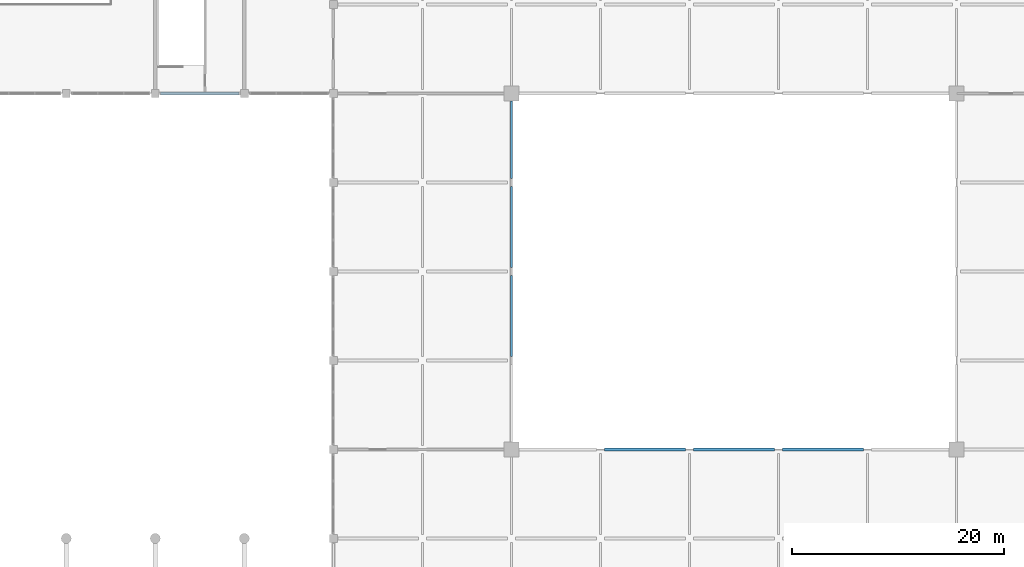
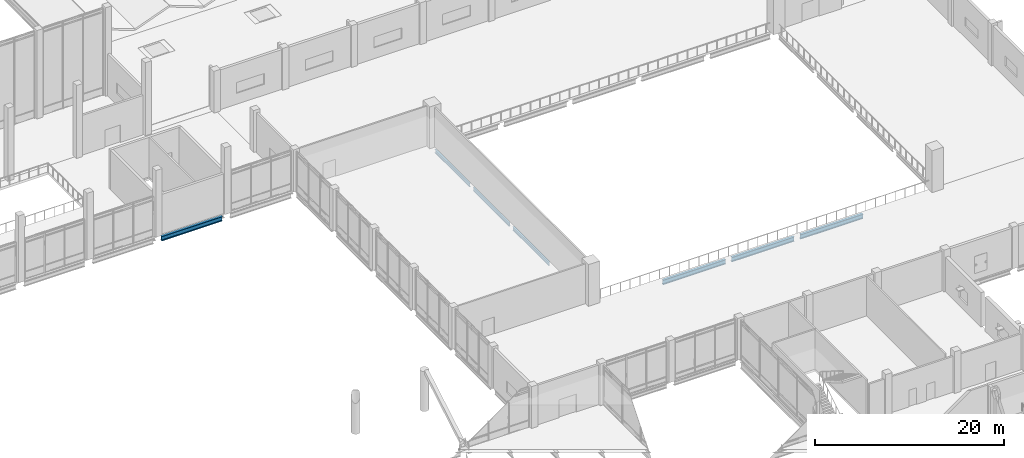
# One storey, part 29 of 72: 7 beams.
"""IFC4 building model written with IfcOpenShell, lengths in metres."""

from ifc_helpers import new_model, si_unit, direction, frame, origin, origin_2d, place, context, subcontext, project, spatial, i_section, extrude, material, material_profile, profile_set, type_object, element, save


model = new_model("IFC4")

# Units and contexts
model_context = context("Model", 3, precision=1e-05, world=origin(), true_north=direction((0.0, 1.0)))
body_context = subcontext(model_context, "Body", "Model", "MODEL_VIEW")
ifc_project = project(units=[si_unit("LENGTHUNIT", "METRE"), si_unit("AREAUNIT", "SQUARE_METRE"), si_unit("VOLUMEUNIT", "CUBIC_METRE"), si_unit("PLANEANGLEUNIT", "RADIAN"), si_unit("MASSUNIT", "GRAM", prefix="KILO")], contexts=[model_context])

# Site, building, storey
site_placement = place(None, origin())
site = spatial("IfcSite", under=ifc_project, at=site_placement, CompositionType="ELEMENT")
building_placement = place(site_placement, origin())
building = spatial("IfcBuilding", under=site, at=building_placement, Name="Qawsi Khor Wholesale Market", CompositionType="ELEMENT")
storey_placement = place(building_placement, frame((0.0, 0.0, 6.0)))
storey = spatial("IfcBuildingStorey", under=building, at=storey_placement, Name="L01", CompositionType="ELEMENT", Elevation=6.0)

# Beams
ifc_material = material(Name="Steel S355", Category="steel")
ifc_material_profile_1 = material_profile(ifc_material, i_section(OverallWidth=0.300048828125, OverallDepth=0.60009765625, WebThickness=0.015380859375, FlangeThickness=0.030029296875, FilletRadius=0.027099609375, at=origin_2d()), Name="HEB 600")
ifc_profile_set_1 = profile_set([ifc_material_profile_1], Name="Steel S355")
beam_type_1 = type_object("IfcBeamType", Name="Heavy Edge Girder HEB 600", PredefinedType="BEAM", material=ifc_profile_set_1)
beam_1_placement = place(storey_placement, frame((126.5, 92.39990234375, -0.6298828125), z_axis=(1.0, 0.0, 0.0), x_axis=(0.0, 1.0, 0.0)))
element("IfcBeam", 1, at=beam_1_placement, inside=storey, type_object=beam_type_1, Name="BM-X-L01-15_+11", PredefinedType="BEAM", context=body_context, shape_type="SweptSolid", body=[
    extrude(i_section(OverallWidth=0.300048828125, OverallDepth=0.60009765625, WebThickness=0.015380859375, FlangeThickness=0.030029296875, FilletRadius=0.027099609375, at=origin_2d()), origin(), (0.0, 0.0, 1.0), 7.39990234375),
])
ifc_material_profile_2 = material_profile(ifc_material, i_section(OverallWidth=0.300048828125, OverallDepth=0.590087890625, WebThickness=0.012939453125, FlangeThickness=0.02490234375, FilletRadius=0.027099609375, at=origin_2d()), Name="HEA 600")
ifc_profile_set_2 = profile_set([ifc_material_profile_2], Name="Steel S355")
beam_type_2 = type_object("IfcBeamType", Name="Primary Girder HEA 600", PredefinedType="BEAM", material=ifc_profile_set_2)
beam_2_placement = place(storey_placement, frame((168.375, 58.800048828125, -0.56494140625), z_axis=(1.0, 0.0, 0.0), x_axis=(0.0, 1.0, 0.0)))
element("IfcBeam", 2, at=beam_2_placement, inside=storey, type_object=beam_type_2, Name="BM-X-L01-20_+07", PredefinedType="BEAM", context=body_context, shape_type="SweptSolid", body=[
    extrude(i_section(OverallWidth=0.300048828125, OverallDepth=0.590087890625, WebThickness=0.012939453125, FlangeThickness=0.02490234375, FilletRadius=0.027099609375, at=origin_2d()), origin(), (0.0, 0.0, 1.0), 7.64990234375),
])
beam_3_placement = place(storey_placement, frame((176.77490234375, 58.800048828125, -0.56494140625), z_axis=(1.0, 0.0, 0.0), x_axis=(0.0, 1.0, 0.0)))
element("IfcBeam", 3, at=beam_3_placement, inside=storey, type_object=beam_type_2, Name="BM-X-L01-21_+07", PredefinedType="BEAM", context=body_context, shape_type="SweptSolid", body=[
    extrude(i_section(OverallWidth=0.300048828125, OverallDepth=0.590087890625, WebThickness=0.012939453125, FlangeThickness=0.02490234375, FilletRadius=0.027099609375, at=origin_2d()), origin(), (0.0, 0.0, 1.0), 7.650146484375),
])
beam_4_placement = place(storey_placement, frame((185.175048828125, 58.800048828125, -0.56494140625), z_axis=(1.0, 0.0, 0.0), x_axis=(0.0, 1.0, 0.0)))
element("IfcBeam", 4, at=beam_4_placement, inside=storey, type_object=beam_type_2, Name="BM-X-L01-22_+07", PredefinedType="BEAM", context=body_context, shape_type="SweptSolid", body=[
    extrude(i_section(OverallWidth=0.300048828125, OverallDepth=0.590087890625, WebThickness=0.012939453125, FlangeThickness=0.02490234375, FilletRadius=0.027099609375, at=origin_2d()), origin(), (0.0, 0.0, 1.0), 7.64990234375),
])
ifc_material_profile_3 = material_profile(ifc_material, i_section(OverallWidth=0.18994140625, OverallDepth=0.449951171875, WebThickness=0.009521484375, FlangeThickness=0.0146484375, FilletRadius=0.02099609375, at=origin_2d()), Name="IPE 450")
ifc_profile_set_3 = profile_set([ifc_material_profile_3], Name="Steel S355")
beam_type_3 = type_object("IfcBeamType", Name="Secondary Beam IPE 450", PredefinedType="BEAM", material=ifc_profile_set_3)
beam_5_placement = place(storey_placement, frame((159.60009765625, 67.574951171875, -0.4951171875), z_axis=(0.0, 1.0, 0.0), x_axis=(-1.0, 0.0, 0.0)))
element("IfcBeam", 5, at=beam_5_placement, inside=storey, type_object=beam_type_3, Name="BM-Y-L01-19_+08", PredefinedType="BEAM", context=body_context, shape_type="SweptSolid", body=[
    extrude(i_section(OverallWidth=0.18994140625, OverallDepth=0.449951171875, WebThickness=0.009521484375, FlangeThickness=0.0146484375, FilletRadius=0.02099609375, at=origin_2d()), origin(), (0.0, 0.0, 1.0), 7.650146484375),
])
beam_6_placement = place(storey_placement, frame((159.60009765625, 75.97509765625, -0.4951171875), z_axis=(0.0, 1.0, 0.0), x_axis=(-1.0, 0.0, 0.0)))
element("IfcBeam", 6, at=beam_6_placement, inside=storey, type_object=beam_type_3, Name="BM-Y-L01-19_+09", PredefinedType="BEAM", context=body_context, shape_type="SweptSolid", body=[
    extrude(i_section(OverallWidth=0.18994140625, OverallDepth=0.449951171875, WebThickness=0.009521484375, FlangeThickness=0.0146484375, FilletRadius=0.02099609375, at=origin_2d()), origin(), (0.0, 0.0, 1.0), 7.64990234375),
])
beam_7_placement = place(storey_placement, frame((159.60009765625, 84.375, -0.4951171875), z_axis=(0.0, 1.0, 0.0), x_axis=(-1.0, 0.0, 0.0)))
element("IfcBeam", 7, at=beam_7_placement, inside=storey, type_object=beam_type_3, Name="BM-Y-L01-19_+10", PredefinedType="BEAM", context=body_context, shape_type="SweptSolid", body=[
    extrude(i_section(OverallWidth=0.18994140625, OverallDepth=0.449951171875, WebThickness=0.009521484375, FlangeThickness=0.0146484375, FilletRadius=0.02099609375, at=origin_2d()), origin(), (0.0, 0.0, 1.0), 7.324951171875),
])

save(model, "model.ifc")
